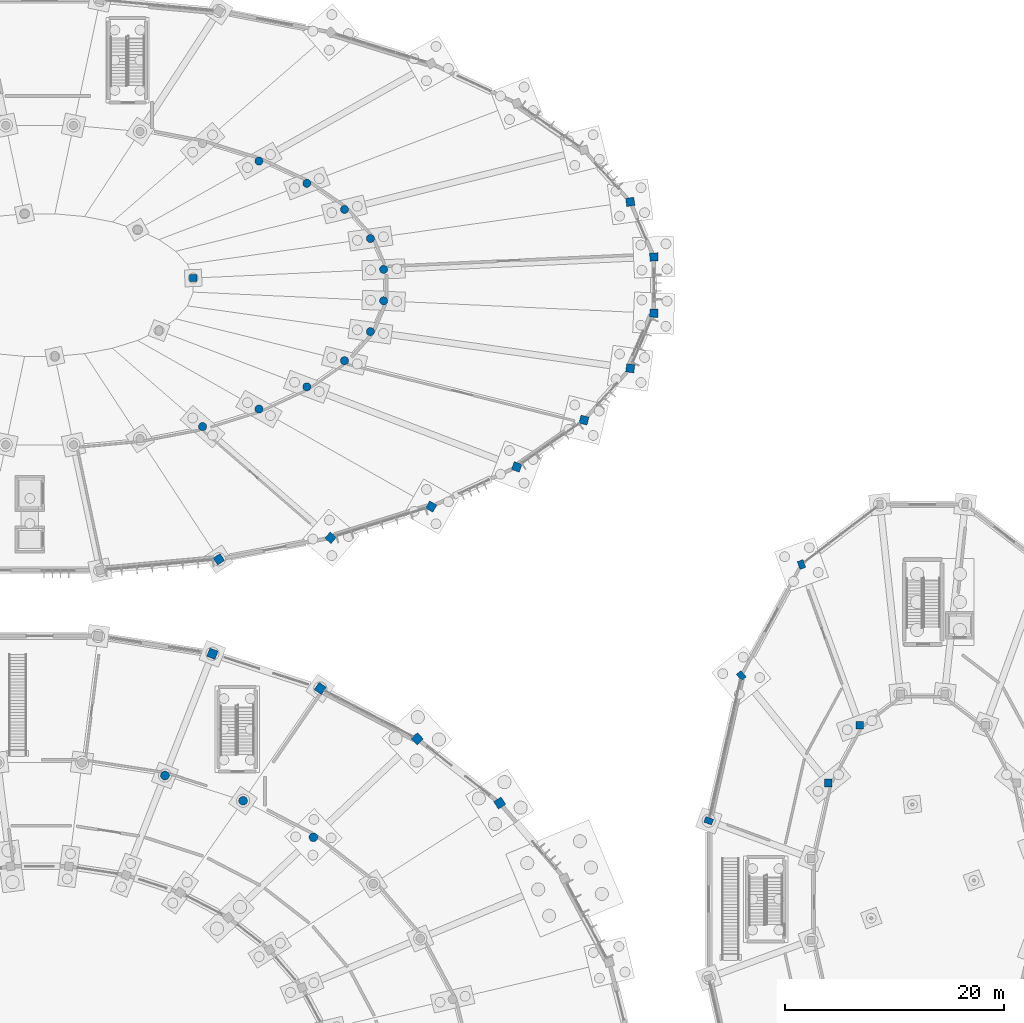
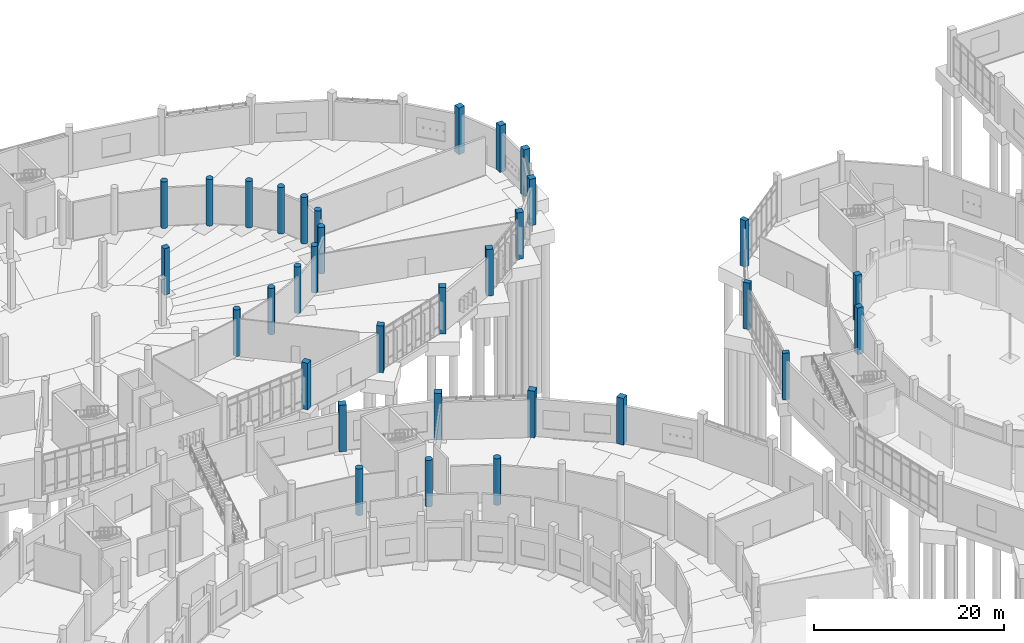
# One storey, part 26 of 140: 33 columns.
"""IFC4 building model written with IfcOpenShell, lengths in metres."""

from ifc_helpers import new_model, si_unit, direction, frame, origin, origin_2d, place, context, subcontext, project, spatial, rectangle, circle, extrude, material, material_profile, profile_set, type_object, element, save


model = new_model("IFC4")

# Units and contexts
model_context = context("Model", 3, precision=1e-05, world=origin(), true_north=direction((0.0, 1.0)))
body_context = subcontext(model_context, "Body", "Model", "MODEL_VIEW")
ifc_project = project(units=[si_unit("LENGTHUNIT", "METRE"), si_unit("AREAUNIT", "SQUARE_METRE"), si_unit("VOLUMEUNIT", "CUBIC_METRE"), si_unit("PLANEANGLEUNIT", "RADIAN"), si_unit("MASSUNIT", "GRAM", prefix="KILO")], contexts=[model_context])

# Site, building, storey
site_placement = place(None, origin())
site = spatial("IfcSite", under=ifc_project, at=site_placement, CompositionType="ELEMENT")
building_placement = place(site_placement, origin())
building = spatial("IfcBuilding", under=site, at=building_placement, Name="Corvandel Quay Wholesale Market", CompositionType="ELEMENT")
storey_placement = place(building_placement, origin())
storey = spatial("IfcBuildingStorey", under=building, at=storey_placement, Name="L00", CompositionType="ELEMENT", Elevation=0.0)

# Columns
ifc_material = material(Name="Precast concrete C45/55", Category="concrete")
ifc_material_profile_1 = material_profile(ifc_material, circle(Radius=0.39990234375, at=origin_2d()), Name="PC-COL-D800")
ifc_profile_set_1 = profile_set([ifc_material_profile_1], Name="Precast concrete C45/55")
column_type_1 = type_object("IfcColumnType", Name="Circular Hall Column C10 D800", PredefinedType="COLUMN", material=ifc_profile_set_1)
for number, where, z_axis, x_axis, name in (
    (1, (138.95703125, 65.652099609375, 0.0), (0.0, 0.0, 1.0), (1.0, 0.0, 0.0), "Column COL-0044"),
    (2, (132.5439453125, 68.98388671875, 0.0), (0.0, 0.0, 1.0), (1.0, 0.0, 0.0), "Column COL-0054"),
    (3, (125.419921875, 71.280029296875, 0.0), (0.0, 0.0, 1.0), (1.0, 0.0, 0.0), "Column COL-0064"),
):
    element("IfcColumn", number, at=place(storey_placement, frame(where, z_axis=z_axis, x_axis=x_axis)), inside=storey, type_object=column_type_1, Name=name, PredefinedType="COLUMN", context=body_context, shape_type="SweptSolid", body=[
        extrude(circle(Radius=0.39990234375, at=origin_2d()), origin(), (0.0, 0.0, 1.0), 6.0),
    ])
ifc_material_profile_2 = material_profile(ifc_material, circle(Radius=0.375, at=origin_2d()), Name="PC-COL-D750")
ifc_profile_set_2 = profile_set([ifc_material_profile_2], Name="Precast concrete C45/55")
column_type_2 = type_object("IfcColumnType", Name="Circular Hall Column C11 D750", PredefinedType="COLUMN", material=ifc_profile_set_2)
for number, where, z_axis, x_axis, name in (
    (4, (145.360107421875, 117.43408203125, 0.0), (0.0, 0.0, 1.0), (1.0, 0.0, 0.0), "Column COL-0323"),
    (5, (144.155029296875, 120.2470703125, 0.0), (0.0, 0.0, 1.0), (1.0, 0.0, 0.0), "Column COL-0329"),
    (6, (141.791015625, 122.89697265625, 0.0), (0.0, 0.0, 1.0), (1.0, 0.0, 0.0), "Column COL-0333"),
    (7, (138.35888671875, 125.281005859375, 0.0), (0.0, 0.0, 1.0), (1.0, 0.0, 0.0), "Column COL-0337"),
    (8, (133.990966796875, 127.30908203125, 0.0), (0.0, 0.0, 1.0), (1.0, 0.0, 0.0), "Column COL-0341"),
    (9, (128.85498046875, 103.096923828125, 0.0), (0.0, 0.0, 1.0), (1.0, 0.0, 0.0), "Column COL-0452"),
    (10, (133.990966796875, 104.69091796875, 0.0), (0.0, 0.0, 1.0), (1.0, 0.0, 0.0), "Column COL-0458"),
    (11, (138.35888671875, 106.718994140625, 0.0), (0.0, 0.0, 1.0), (1.0, 0.0, 0.0), "Column COL-0463"),
    (12, (141.791015625, 109.10302734375, 0.0), (0.0, 0.0, 1.0), (1.0, 0.0, 0.0), "Column COL-0469"),
    (13, (144.155029296875, 111.7529296875, 0.0), (0.0, 0.0, 1.0), (1.0, 0.0, 0.0), "Column COL-0473"),
    (14, (145.360107421875, 114.56591796875, 0.0), (0.0, 0.0, 1.0), (1.0, 0.0, 0.0), "Column COL-0477"),
):
    element("IfcColumn", number, at=place(storey_placement, frame(where, z_axis=z_axis, x_axis=x_axis)), inside=storey, type_object=column_type_2, Name=name, PredefinedType="COLUMN", context=body_context, shape_type="SweptSolid", body=[
        extrude(circle(Radius=0.375, at=origin_2d()), origin(), (0.0, 0.0, 1.0), 6.0),
    ])
ifc_material_profile_3 = material_profile(ifc_material, rectangle(XDim=0.550048828125, YDim=0.75, at=origin_2d()), Name="PC-COL-550x750")
ifc_profile_set_3 = profile_set([ifc_material_profile_3], Name="Precast concrete C45/55")
column_type_3 = type_object("IfcColumnType", Name="Pavilion Pier C09 550x750", PredefinedType="COLUMN", material=ifc_profile_set_3)
for number, where, z_axis, x_axis, name in (
    (15, (183.4541015625, 90.51904296875, 0.0), (0.0, 0.0, 1.0), (0.94028812701, 0.340379550213, 0.0), "Column COL-0511"),
    (16, (177.968994140625, 80.39208984375, 0.0), (0.0, 0.0, 1.0), (0.776816343556, 0.629727217439, 0.0), "Column COL-0517"),
    (17, (175.0, 67.160888671875, 0.0), (0.0, 0.0, 1.0), (0.344642923175, 0.938733857654, 0.0), "Column COL-0523"),
):
    element("IfcColumn", number, at=place(storey_placement, frame(where, z_axis=z_axis, x_axis=x_axis)), inside=storey, type_object=column_type_3, Name=name, PredefinedType="COLUMN", context=body_context, shape_type="SweptSolid", body=[
        extrude(rectangle(XDim=0.550048828125, YDim=0.75, at=origin_2d()), origin(), (0.0, 0.0, 1.0), 6.0),
    ])
ifc_material_profile_4 = material_profile(ifc_material, rectangle(XDim=0.800048828125, YDim=0.800048828125, at=origin_2d()), Name="PC-COL-800x800")
ifc_profile_set_4 = profile_set([ifc_material_profile_4], Name="Precast concrete C45/55")
column_type_4 = type_object("IfcColumnType", Name="Precast Column C02 800x800", PredefinedType="COLUMN", material=ifc_profile_set_4)
for number, where, z_axis, x_axis, name in (
    (18, (155.945068359375, 68.77294921875, 0.0), (0.0, 0.0, 1.0), (-0.538035401546, 0.842922242371, 0.0), "Column COL-0031"),
    (19, (148.423095703125, 74.6240234375, 0.0), (0.0, 0.0, 1.0), (-0.687848001144, 0.725854756355, 0.0), "Column COL-0041"),
    (20, (139.5791015625, 79.219970703125, 0.0), (0.0, 0.0, 1.0), (-0.824126188622, 0.566406236925, 0.0), "Column COL-0051"),
    (21, (129.7509765625, 82.385986328125, 0.0), (0.0, 0.0, 1.0), (-0.931627814096, 0.363413835735, 0.0), "Column COL-0061"),
):
    element("IfcColumn", number, at=place(storey_placement, frame(where, z_axis=z_axis, x_axis=x_axis)), inside=storey, type_object=column_type_4, Name=name, PredefinedType="COLUMN", context=body_context, shape_type="SweptSolid", body=[
        extrude(rectangle(XDim=0.800048828125, YDim=0.800048828125, at=origin_2d()), origin(), (0.0, 0.0, 1.0), 6.0),
    ])
ifc_material_profile_5 = material_profile(ifc_material, rectangle(XDim=0.75, YDim=0.75, at=origin_2d()), Name="PC-COL-750x750")
ifc_profile_set_5 = profile_set([ifc_material_profile_5], Name="Precast concrete C45/55")
column_type_5 = type_object("IfcColumnType", Name="Precast Column C03 750x750", PredefinedType="COLUMN", material=ifc_profile_set_5)
for number, where, z_axis, x_axis, name in (
    (22, (170.0, 118.56103515625, 0.0), (0.0, 0.0, 1.0), (-0.04571169187, 0.99895467426, 0.0), "Column COL-0321"),
    (23, (167.847900390625, 123.583984375, 0.0), (0.0, 0.0, 1.0), (-0.13951876124, 0.990219427835, 0.0), "Column COL-0327"),
    (24, (130.3349609375, 90.9990234375, 0.0), (0.0, 0.0, 1.0), (0.837146380758, 0.546978918409, 0.0), "Column COL-0443"),
    (25, (140.52587890625, 92.958984375, 0.0), (0.0, 0.0, 1.0), (0.655795545685, 0.754938542041, 0.0), "Column COL-0449"),
    (26, (149.697998046875, 95.803955078125, 0.0), (0.0, 0.0, 1.0), (0.492423560103, 0.87035569594, 0.0), "Column COL-0455"),
    (27, (157.498046875, 99.426025390625, 0.0), (0.0, 0.0, 1.0), (0.356085714679, 0.934453296747, 0.0), "Column COL-0461"),
    (28, (163.626953125, 103.68408203125, 0.0), (0.0, 0.0, 1.0), (0.240905671828, 0.970548534222, 0.0), "Column COL-0467"),
    (29, (167.847900390625, 108.416015625, 0.0), (0.0, 0.0, 1.0), (0.13951876124, 0.990219427835, 0.0), "Column COL-0471"),
    (30, (170.0, 113.43896484375, 0.0), (0.0, 0.0, 1.0), (0.04571169187, 0.99895467426, 0.0), "Column COL-0475"),
):
    element("IfcColumn", number, at=place(storey_placement, frame(where, z_axis=z_axis, x_axis=x_axis)), inside=storey, type_object=column_type_5, Name=name, PredefinedType="COLUMN", context=body_context, shape_type="SweptSolid", body=[
        extrude(rectangle(XDim=0.75, YDim=0.75, at=origin_2d()), origin(), (0.0, 0.0, 1.0), 6.0),
    ])
ifc_material_profile_6 = material_profile(ifc_material, rectangle(XDim=0.699951171875, YDim=0.699951171875, at=origin_2d()), Name="PC-COL-700x700")
ifc_profile_set_6 = profile_set([ifc_material_profile_6], Name="Precast concrete C45/55")
column_type_6 = type_object("IfcColumnType", Name="Precast Column C04 700x700", PredefinedType="COLUMN", material=ifc_profile_set_6)
for number, where, z_axis, x_axis, name in (
    (31, (188.756103515625, 75.8701171875, 0.0), (0.0, 0.0, 1.0), (1.0, 0.0, 0.0), "Column COL-0514"),
    (32, (185.904052734375, 70.60400390625, 0.0), (0.0, 0.0, 1.0), (1.0, 0.0, 0.0), "Column COL-0520"),
):
    element("IfcColumn", number, at=place(storey_placement, frame(where, z_axis=z_axis, x_axis=x_axis)), inside=storey, type_object=column_type_6, Name=name, PredefinedType="COLUMN", context=body_context, shape_type="SweptSolid", body=[
        extrude(rectangle(XDim=0.699951171875, YDim=0.699951171875, at=origin_2d()), origin(), (0.0, 0.0, 1.0), 6.0),
    ])
ifc_material_profile_7 = material_profile(ifc_material, rectangle(XDim=0.64990234375, YDim=0.64990234375, at=origin_2d()), Name="PC-COL-650x650")
ifc_profile_set_7 = profile_set([ifc_material_profile_7], Name="Precast concrete C45/55")
column_type_7 = type_object("IfcColumnType", Name="Precast Column C05 650x650", PredefinedType="COLUMN", material=ifc_profile_set_7)
column_placement = place(storey_placement, frame((128.0, 116.639892578125, 0.0), z_axis=(0.0, 0.0, 1.0), x_axis=(1.0, 0.0, 0.0)))
element("IfcColumn", 33, at=column_placement, inside=storey, type_object=column_type_7, Name="Column COL-0325", PredefinedType="COLUMN", context=body_context, shape_type="SweptSolid", body=[
    extrude(rectangle(XDim=0.64990234375, YDim=0.64990234375, at=origin_2d()), origin(), (0.0, 0.0, 1.0), 6.0),
])

save(model, "model.ifc")
